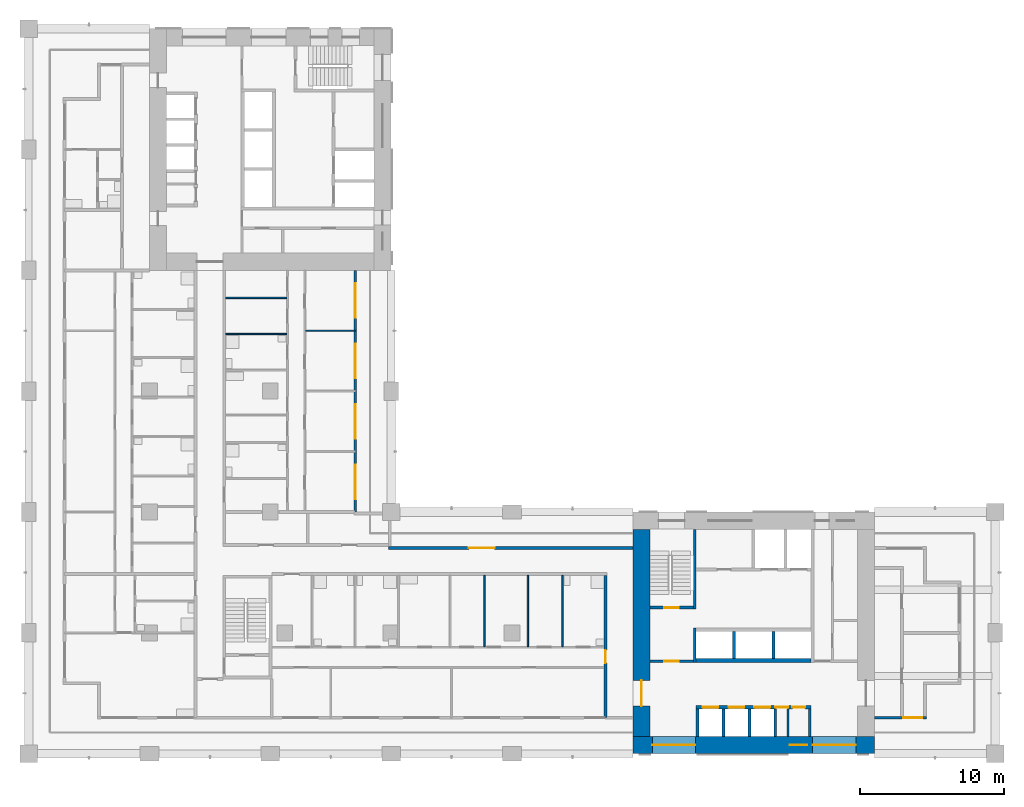
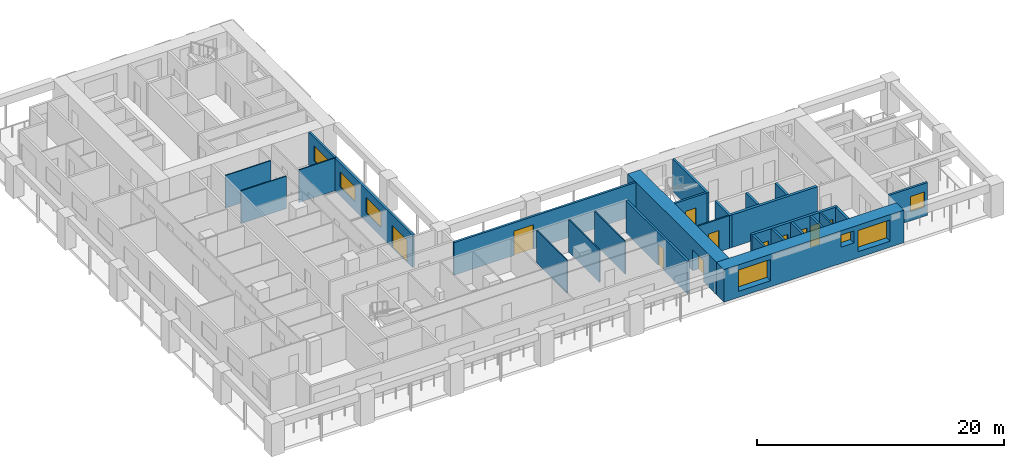
# One storey, part 5 of 16: 26 walls, 11 doors, 7 windows, 18 openings.
"""IFC4 building model written with IfcOpenShell, lengths in metres."""

import ifcopenshell
import ifcopenshell.guid

model = None  # the IFC model being written
_history = None  # IfcOwnerHistory: only IFC2X3 demands one
_inside = {}  # id of a spatial element -> (the spatial element, [elements in it])
_under = {}  # id of a project, library or spatial element -> (it, [spatial elements below it])
_declared = {}  # id of a project -> (the project, [libraries it declares])
_typed = {}  # id of a type object -> (the type object, [elements of that type])
_made_of = {}  # id of a material, layer set ... -> (it, [elements and type objects made of it])


def new_model(schema):
    """Start an empty IFC model of exactly this schema.

    Asked for "IFC4X3", IfcOpenShell would pick the latest addendum, in which some entities
    have other attributes; the version numbers below select the first issue.
    IFC2X3 requires an IfcOwnerHistory on every rooted entity: one is made here for all.
    """
    global model, _history
    if schema == "IFC4X3":
        model = ifcopenshell.file(schema_version=(4, 3, 0, 0))
    else:
        model = ifcopenshell.file(schema=schema)
    _inside.clear()
    _under.clear()
    _declared.clear()
    _typed.clear()
    _made_of.clear()
    _history = None
    if model.schema == "IFC2X3":
        org = make("IfcOrganization", Name="unknown")
        user = make(
            "IfcPersonAndOrganization",
            ThePerson=make("IfcPerson", FamilyName="unknown"),
            TheOrganization=org,
        )
        app = make(
            "IfcApplication",
            ApplicationDeveloper=org,
            Version="unknown",
            ApplicationFullName="unknown",
            ApplicationIdentifier="unknown",
        )
        _history = make(
            "IfcOwnerHistory",
            OwningUser=user,
            OwningApplication=app,
            ChangeAction="ADDED",
            CreationDate=0,
        )
    return model


def make(cls, **values):
    """One entity of the class cls with the attributes given. An attribute that is None is left unset."""
    return model.create_entity(
        cls, **{name: value for name, value in values.items() if value is not None}
    )


def rooted(cls, **values):
    """An entity with a GlobalId (a new one), such as an element, a storey or a relation."""
    return make(cls, GlobalId=ifcopenshell.guid.new(), OwnerHistory=_history, **values)


def si_unit(unit_type, name, prefix=None):
    """IfcSIUnit, for example si_unit("LENGTHUNIT", "METRE", prefix="MILLI")."""
    return make("IfcSIUnit", UnitType=unit_type, Prefix=prefix, Name=name)


def assignment(units):
    """IfcUnitAssignment: the units of a project."""
    return None if units is None else make("IfcUnitAssignment", Units=units)


def point(xyz):
    """IfcCartesianPoint."""
    return None if xyz is None else make("IfcCartesianPoint", Coordinates=xyz)


def direction(xyz):
    """IfcDirection."""
    return None if xyz is None else make("IfcDirection", DirectionRatios=xyz)


def frame(location, z_axis=None, x_axis=None):
    """IfcAxis2Placement3D, a coordinate frame: its origin and axes. An axis left out is left unset."""
    return make(
        "IfcAxis2Placement3D",
        Location=point(location),
        Axis=direction(z_axis),
        RefDirection=direction(x_axis),
    )


def frame_2d(location, x_axis=None):
    """IfcAxis2Placement2D, a coordinate frame in the plane: its origin and x axis."""
    return make(
        "IfcAxis2Placement2D", Location=point(location), RefDirection=direction(x_axis)
    )


def origin():
    """The frame at (0, 0, 0) with its axes left unset."""
    return frame((0.0, 0.0, 0.0))


def place(relative_to, where):
    """IfcLocalPlacement: puts the frame where relative to a parent placement (None: the world)."""
    return make(
        "IfcLocalPlacement", PlacementRelTo=relative_to, RelativePlacement=where
    )


def context(
    kind, dimensions, precision=None, world=None, true_north=None, identifier=None
):
    """IfcGeometricRepresentationContext, for example the 3D "Model" context."""
    return make(
        "IfcGeometricRepresentationContext",
        ContextIdentifier=identifier,
        ContextType=kind,
        CoordinateSpaceDimension=dimensions,
        Precision=precision,
        WorldCoordinateSystem=world,
        TrueNorth=true_north,
    )


def subcontext(parent, identifier, kind, view, scale=None):
    """IfcGeometricRepresentationSubContext, for example "Body" below "Model"."""
    return make(
        "IfcGeometricRepresentationSubContext",
        ContextIdentifier=identifier,
        ContextType=kind,
        ParentContext=parent,
        TargetScale=scale,
        TargetView=view,
    )


def project(units=None, contexts=None):
    """IfcProject with its units and contexts."""
    return rooted(
        "IfcProject",
        Name="project",
        RepresentationContexts=contexts,
        UnitsInContext=assignment(units),
    )


def spatial(cls, under=None, at=None, **own):
    """A site, building, storey or space (cls), placed at a placement, below another one or the project."""
    s = rooted(cls, ObjectPlacement=at, **own)
    if under is not None:
        _under.setdefault(under.id(), (under, []))[1].append(s)
    return s


def profile(cls, at=None, kind="AREA", **sizes):
    """A parametric profile (cls). Its sizes go by their IFC names, for example OverallWidth=200.0."""
    return make(cls, ProfileType=kind, Position=at, **sizes)


def rectangle(**sizes):
    """IfcRectangleProfileDef."""
    return profile("IfcRectangleProfileDef", **sizes)


def extrude(swept, where, along, depth):
    """IfcExtrudedAreaSolid: the profile swept, set in the frame where, extruded along a direction by depth."""
    return make(
        "IfcExtrudedAreaSolid",
        SweptArea=swept,
        Position=where,
        ExtrudedDirection=direction(along),
        Depth=depth,
    )


def shape(context_of_items, identifier, shape_type, items):
    """IfcShapeRepresentation: the items that make up one representation, for example the "Body"."""
    return make(
        "IfcShapeRepresentation",
        ContextOfItems=context_of_items,
        RepresentationIdentifier=identifier,
        RepresentationType=shape_type,
        Items=items,
    )


def material(Name=None, Category=None):
    """IfcMaterial."""
    return make("IfcMaterial", Name=Name, Category=Category)


def layer(
    of_material, thickness, ventilated=None, Name=None, Category=None, Priority=None
):
    """IfcMaterialLayer: one layer of a wall or slab, of a material (None: an air gap)."""
    return make(
        "IfcMaterialLayer",
        Material=of_material,
        LayerThickness=thickness,
        IsVentilated=ventilated,
        Name=Name,
        Category=Category,
        Priority=Priority,
    )


def layer_set(layers, Name=None):
    """IfcMaterialLayerSet."""
    return make("IfcMaterialLayerSet", MaterialLayers=layers, LayerSetName=Name)


def made_of(thing, what):
    """Note that an element or type object is made of a material, layer set ...; save() writes the relation."""
    if what is not None:
        _made_of.setdefault(what.id(), (what, []))[1].append(thing)
    return thing


def type_object(cls, material=None, **own):
    """A type object (cls), such as IfcWallType, which elements share."""
    return made_of(rooted(cls, **own), material)


def element(
    cls,
    number,
    at=None,
    inside=None,
    cuts=None,
    type_object=None,
    material=None,
    context=None,
    identifier="Body",
    shape_type=None,
    held_by="IfcProductDefinitionShape",
    body=None,
    shapes=None,
    **own,
):
    """One element of the class cls, such as IfcWall. Its Tag is "e" and its number.

    at: its placement. inside: the storey or other place that contains it. cuts: it is an
    opening in that element (IfcRelVoidsElement). A single representation is given by context,
    identifier, shape_type and body (its items); several are given by shapes. held_by: the class
    of the entity that holds the representations. save() writes the other relations.
    """
    e = rooted(cls, Tag="e%d" % number, ObjectPlacement=at, **own)
    if body is not None:
        shapes = [shape(context, identifier, shape_type, body)]
    if shapes is not None:
        e.Representation = make(held_by, Representations=shapes)
    if inside is not None:
        _inside.setdefault(inside.id(), (inside, []))[1].append(e)
    if cuts is not None:
        rooted(
            "IfcRelVoidsElement", RelatingBuildingElement=cuts, RelatedOpeningElement=e
        )
    if type_object is not None:
        _typed.setdefault(type_object.id(), (type_object, []))[1].append(e)
    return made_of(e, material)


def fill(opening, filler):
    """IfcRelFillsElement: the door or window that sits in an opening."""
    return rooted(
        "IfcRelFillsElement",
        RelatingOpeningElement=opening,
        RelatedBuildingElement=filler,
    )


def aggregate(whole, parts):
    """IfcRelAggregates: a whole, such as a stair, and the parts it consists of."""
    return rooted("IfcRelAggregates", RelatingObject=whole, RelatedObjects=parts)


def save(model, path):
    """Write the relations noted so far, then the file.

    IfcRelAggregates (storeys below a building ...), IfcRelContainedInSpatialStructure (elements
    in a storey), IfcRelDefinesByType, IfcRelAssociatesMaterial and IfcRelDeclares: one each for
    every whole, place, type object, material and project.
    """
    for whole, parts in _under.values():
        aggregate(whole, parts)
    for where, things in _inside.values():
        rooted(
            "IfcRelContainedInSpatialStructure",
            RelatedElements=things,
            RelatingStructure=where,
        )
    for kind, things in _typed.values():
        rooted("IfcRelDefinesByType", RelatedObjects=things, RelatingType=kind)
    for what, things in _made_of.values():
        rooted("IfcRelAssociatesMaterial", RelatedObjects=things, RelatingMaterial=what)
    for by, libraries in _declared.values():
        rooted("IfcRelDeclares", RelatingContext=by, RelatedDefinitions=libraries)
    model.write(path)


model = new_model("IFC4")

# Units and contexts
model_context = context("Model", 3, precision=1e-05, world=origin(), true_north=direction((0.0, 1.0)))
body_context = subcontext(model_context, "Body", "Model", "MODEL_VIEW")
ifc_project = project(units=[si_unit("LENGTHUNIT", "METRE"), si_unit("AREAUNIT", "SQUARE_METRE"), si_unit("VOLUMEUNIT", "CUBIC_METRE"), si_unit("PLANEANGLEUNIT", "RADIAN"), si_unit("MASSUNIT", "GRAM", prefix="KILO")], contexts=[model_context])

# Site, building, storey
site_placement = place(None, origin())
site = spatial("IfcSite", under=ifc_project, at=site_placement, CompositionType="ELEMENT")
building_placement = place(site_placement, origin())
building = spatial("IfcBuilding", under=site, at=building_placement, Name="Vermilion Gate Residences", CompositionType="ELEMENT")
storey_placement = place(building_placement, frame((0.0, 0.0, 130.199951171875)))
storey = spatial("IfcBuildingStorey", under=building, at=storey_placement, Name="L33", CompositionType="ELEMENT", Elevation=130.199951171875)

# Wall
ifc_material_1 = material(Name="Masonry blockwork", Category="masonry")
ifc_layer_1 = layer(ifc_material_1, 0.14990234375)
ifc_layer_set_1 = layer_set([ifc_layer_1], Name="BLOCKWORK PARTITION 150 EI 120")
wall_type_1 = type_object("IfcWallType", Name="BLOCKWORK PARTITION 150 EI 120", PredefinedType="PARTITIONING", material=ifc_layer_set_1)
wall_1_placement = place(storey_placement, frame((52.79248046875, 9.60009765625, 0.0), z_axis=(0.0, 0.0, 1.0), x_axis=(0.0, 1.0, 0.0)))
element("IfcWall", 1, at=wall_1_placement, inside=storey, type_object=wall_type_1, Name="Core room partition A33-SR-P0", PredefinedType="PARTITIONING", context=body_context, shape_type="SweptSolid", body=[
    extrude(rectangle(XDim=1.89990234375, YDim=0.14990234375, at=frame_2d((0.949951171875, 0.0))), origin(), (0.0, 0.0, 1.0), 3.219970703125),
])

# Wall, opening, door
wall_2_placement = place(storey_placement, frame((43.199951171875, 14.824951171875, 0.0), z_axis=(0.0, 0.0, 1.0), x_axis=(1.0, 0.0, 0.0)))
wall_2 = element("IfcWall", 2, at=wall_2_placement, inside=storey, type_object=wall_type_1, Name="Core room partition A33-VW-S", PredefinedType="PARTITIONING", context=body_context, shape_type="SweptSolid", body=[
    extrude(rectangle(XDim=3.0, YDim=0.14990234375, at=frame_2d((1.5, 0.0))), origin(), (0.0, 0.0, 1.0), 3.219970703125),
])
opening_1_placement = place(wall_2_placement, frame((1.0, 0.0, 0.0)))
opening_1 = element("IfcOpeningElement", 3, at=opening_1_placement, cuts=wall_2, Name="Opening DK33011", PredefinedType="OPENING", context=body_context, shape_type="SweptSolid", body=[
    extrude(rectangle(XDim=1.0, YDim=2.10009765625, at=frame_2d((0.5, 1.050048828125))), frame((0.0, 0.0849609375, 0.0), z_axis=(0.0, -1.0, 0.0), x_axis=(1.0, 0.0, 0.0)), (0.0, 0.0, 1.0), 0.169921875),
])
ifc_material_2 = material(Name="Steel", Category="steel")
door_type_1 = type_object("IfcDoorType", Name="FIRE DOOR FD60 1000 X 2100", OperationType="SINGLE_SWING_LEFT", PredefinedType="DOOR", material=ifc_material_2)
door_1_placement = place(opening_1_placement, frame((1.0, 0.0, 0.0), z_axis=(0.0, 0.0, 1.0), x_axis=(-1.0, 0.0, 0.0)))
door_1 = element("IfcDoor", 4, at=door_1_placement, inside=storey, type_object=door_type_1, Name="Stair vestibule door A33", OperationType="SINGLE_SWING_RIGHT", OverallHeight=2.10009765625, OverallWidth=1.0, PredefinedType="DOOR", context=body_context, shape_type="SweptSolid", body=[
    extrude(rectangle(XDim=1.0, YDim=2.10009765625, at=frame_2d((0.5, 1.050048828125))), frame((0.0, 0.02490234375, 0.0), z_axis=(0.0, -1.0, 0.0), x_axis=(1.0, 0.0, 0.0)), (0.0, 0.0, 1.0), 0.050048828125),
])
fill(opening_1, door_1)

# Wall, opening, window
ifc_material_3 = material(Name="Insulated steel stud wall with terracotta rainscreen", Category="masonry")
ifc_layer_2 = layer(ifc_material_3, 0.199951171875)
ifc_layer_set_2 = layer_set([ifc_layer_2], Name="EXTERNAL WALL 200 TERRACOTTA RAINSCREEN")
wall_type_2 = type_object("IfcWallType", Name="EXTERNAL WALL 200 TERRACOTTA RAINSCREEN", PredefinedType="SOLIDWALL", material=ifc_layer_set_2)
wall_3_placement = place(storey_placement, frame((58.800048828125, 10.89990234375, 0.0), z_axis=(0.0, 0.0, 1.0), x_axis=(1.0, 0.0, 0.0)))
wall_3 = element("IfcWall", 5, at=wall_3_placement, inside=storey, type_object=wall_type_2, Name="External wall", PredefinedType="SOLIDWALL", context=body_context, shape_type="SweptSolid", body=[
    extrude(rectangle(XDim=3.599853515625, YDim=0.199951171875, at=frame_2d((1.7998046875, 0.0))), origin(), (0.0, 0.0, 1.0), 3.219970703125),
])
opening_2_placement = place(wall_3_placement, frame((2.0, 0.0, 0.89990234375)))
opening_2 = element("IfcOpeningElement", 6, at=opening_2_placement, cuts=wall_3, Name="Opening WE33020", PredefinedType="OPENING", context=body_context, shape_type="SweptSolid", body=[
    extrude(rectangle(XDim=1.300048828125, YDim=1.5, at=frame_2d((0.64990234375, 0.75))), frame((0.0, 0.10986328125, 0.0), z_axis=(0.0, -1.0, 0.0), x_axis=(1.0, 0.0, 0.0)), (0.0, 0.0, 1.0), 0.219970703125),
])
ifc_material_4 = material(Name="Aluminium and clear glass", Category="aluminium")
window_type_1 = type_object("IfcWindowType", Name="WINDOW 1300 X 1500", PartitioningType="SINGLE_PANEL", PredefinedType="WINDOW", material=ifc_material_4)
window_1_placement = place(opening_2_placement, origin())
window_1 = element("IfcWindow", 7, at=window_1_placement, inside=storey, type_object=window_type_1, Name="Window", OverallHeight=1.5, OverallWidth=1.300048828125, PartitioningType="SINGLE_PANEL", PredefinedType="WINDOW", context=body_context, shape_type="SweptSolid", body=[
    extrude(rectangle(XDim=1.300048828125, YDim=1.5, at=frame_2d((0.64990234375, 0.75))), frame((0.0, 0.030029296875, 0.0), z_axis=(0.0, -1.0, 0.0), x_axis=(1.0, 0.0, 0.0)), (0.0, 0.0, 1.0), 0.06005859375),
])
fill(opening_2, window_1)

# Wall, opening, door
wall_4_placement = place(storey_placement, frame((42.0, 22.699951171875, 0.0), z_axis=(0.0, 0.0, 1.0), x_axis=(-1.0, 0.0, 0.0)))
wall_4 = element("IfcWall", 8, at=wall_4_placement, inside=storey, type_object=wall_type_2, Name="External wall", PredefinedType="SOLIDWALL", context=body_context, shape_type="SweptSolid", body=[
    extrude(rectangle(XDim=17.0, YDim=0.199951171875, at=frame_2d((8.5, 0.0))), origin(), (0.0, 0.0, 1.0), 3.219970703125),
])
opening_3_placement = place(wall_4_placement, frame((9.60009765625, 0.0, 0.0)))
opening_3 = element("IfcOpeningElement", 9, at=opening_3_placement, cuts=wall_4, Name="Opening DE33029", PredefinedType="OPENING", context=body_context, shape_type="SweptSolid", body=[
    extrude(rectangle(XDim=1.800048828125, YDim=2.39990234375, at=frame_2d((0.89990234375, 1.199951171875))), frame((0.0, 0.10986328125, 0.0), z_axis=(0.0, -1.0, 0.0), x_axis=(1.0, 0.0, 0.0)), (0.0, 0.0, 1.0), 0.219970703125),
])
ifc_material_5 = material(Name="Aluminium and clear glass", Category="aluminium")
door_type_2 = type_object("IfcDoorType", Name="GLAZED EXTERNAL DOOR 1800 X 2400", OperationType="DOUBLE_DOOR_SINGLE_SWING", PredefinedType="DOOR", material=ifc_material_5)
door_2_placement = place(opening_3_placement, frame((1.800048828125, 0.0, 0.0), z_axis=(0.0, 0.0, 1.0), x_axis=(-1.0, 0.0, 0.0)))
door_2 = element("IfcDoor", 10, at=door_2_placement, inside=storey, type_object=door_type_2, Name="Gallery door", OperationType="DOUBLE_DOOR_SINGLE_SWING", OverallHeight=2.39990234375, OverallWidth=1.800048828125, PredefinedType="DOOR", context=body_context, shape_type="SweptSolid", body=[
    extrude(rectangle(XDim=1.800048828125, YDim=2.39990234375, at=frame_2d((0.89990234375, 1.199951171875))), frame((0.0, 0.02490234375, 0.0), z_axis=(0.0, -1.0, 0.0), x_axis=(1.0, 0.0, 0.0)), (0.0, 0.0, 1.0), 0.050048828125),
])
fill(opening_3, door_2)

# Wall, openings, door, windows
wall_5_placement = place(storey_placement, frame((22.699951171875, 25.199951171875, 0.0), z_axis=(0.0, 0.0, 1.0), x_axis=(0.0, 1.0, 0.0)))
wall_5 = element("IfcWall", 11, at=wall_5_placement, inside=storey, type_object=wall_type_2, Name="External wall", PredefinedType="SOLIDWALL", context=body_context, shape_type="SweptSolid", body=[
    extrude(rectangle(XDim=16.800048828125, YDim=0.199951171875, at=frame_2d((8.39990234375, 0.0))), origin(), (0.0, 0.0, 1.0), 3.219970703125),
])
opening_4_placement = place(wall_5_placement, frame((0.89990234375, 0.0, 0.0)))
opening_4 = element("IfcOpeningElement", 12, at=opening_4_placement, cuts=wall_5, Name="Opening DE33024", PredefinedType="OPENING", context=body_context, shape_type="SweptSolid", body=[
    extrude(rectangle(XDim=2.39990234375, YDim=2.199951171875, at=frame_2d((1.199951171875, 1.10009765625))), frame((0.0, 0.10986328125, 0.0), z_axis=(0.0, -1.0, 0.0), x_axis=(1.0, 0.0, 0.0)), (0.0, 0.0, 1.0), 0.219970703125),
])
opening_5_placement = place(wall_5_placement, frame((5.10009765625, 0.0, 0.89990234375)))
opening_5 = element("IfcOpeningElement", 13, at=opening_5_placement, cuts=wall_5, Name="Opening WE33025", PredefinedType="OPENING", context=body_context, shape_type="SweptSolid", body=[
    extrude(rectangle(XDim=2.39990234375, YDim=1.5, at=frame_2d((1.199951171875, 0.75))), frame((0.0, 0.10986328125, 0.0), z_axis=(0.0, -1.0, 0.0), x_axis=(1.0, 0.0, 0.0)), (0.0, 0.0, 1.0), 0.219970703125),
])
opening_6_placement = place(wall_5_placement, frame((9.300048828125, 0.0, 0.89990234375)))
opening_6 = element("IfcOpeningElement", 14, at=opening_6_placement, cuts=wall_5, Name="Opening WE33026", PredefinedType="OPENING", context=body_context, shape_type="SweptSolid", body=[
    extrude(rectangle(XDim=2.39990234375, YDim=1.5, at=frame_2d((1.199951171875, 0.75))), frame((0.0, 0.10986328125, 0.0), z_axis=(0.0, -1.0, 0.0), x_axis=(1.0, 0.0, 0.0)), (0.0, 0.0, 1.0), 0.219970703125),
])
opening_7_placement = place(wall_5_placement, frame((13.5, 0.0, 0.89990234375)))
opening_7 = element("IfcOpeningElement", 15, at=opening_7_placement, cuts=wall_5, Name="Opening WE33027", PredefinedType="OPENING", context=body_context, shape_type="SweptSolid", body=[
    extrude(rectangle(XDim=2.39990234375, YDim=1.5, at=frame_2d((1.199951171875, 0.75))), frame((0.0, 0.10986328125, 0.0), z_axis=(0.0, -1.0, 0.0), x_axis=(1.0, 0.0, 0.0)), (0.0, 0.0, 1.0), 0.219970703125),
])
ifc_material_6 = material(Name="Aluminium and clear glass", Category="aluminium")
door_type_3 = type_object("IfcDoorType", Name="SLIDING GLAZED DOOR 2400 X 2200", OperationType="DOUBLE_DOOR_SLIDING", PredefinedType="DOOR", material=ifc_material_6)
door_3_placement = place(opening_4_placement, origin())
door_3 = element("IfcDoor", 16, at=door_3_placement, inside=storey, type_object=door_type_3, Name="Loggia sliding door", OperationType="DOUBLE_DOOR_SLIDING", OverallHeight=2.199951171875, OverallWidth=2.39990234375, PredefinedType="DOOR", context=body_context, shape_type="SweptSolid", body=[
    extrude(rectangle(XDim=2.39990234375, YDim=2.199951171875, at=frame_2d((1.199951171875, 1.10009765625))), frame((0.0, 0.02490234375, 0.0), z_axis=(0.0, -1.0, 0.0), x_axis=(1.0, 0.0, 0.0)), (0.0, 0.0, 1.0), 0.050048828125),
])
fill(opening_4, door_3)
ifc_material_7 = material(Name="Aluminium and clear glass", Category="aluminium")
window_type_2 = type_object("IfcWindowType", Name="WINDOW 2400 X 1500", PartitioningType="SINGLE_PANEL", PredefinedType="WINDOW", material=ifc_material_7)
window_2_placement = place(opening_5_placement, origin())
window_2 = element("IfcWindow", 17, at=window_2_placement, inside=storey, type_object=window_type_2, Name="Window", OverallHeight=1.5, OverallWidth=2.39990234375, PartitioningType="SINGLE_PANEL", PredefinedType="WINDOW", context=body_context, shape_type="SweptSolid", body=[
    extrude(rectangle(XDim=2.39990234375, YDim=1.5, at=frame_2d((1.199951171875, 0.75))), frame((0.0, 0.030029296875, 0.0), z_axis=(0.0, -1.0, 0.0), x_axis=(1.0, 0.0, 0.0)), (0.0, 0.0, 1.0), 0.06005859375),
])
fill(opening_5, window_2)
window_3_placement = place(opening_6_placement, origin())
window_3 = element("IfcWindow", 18, at=window_3_placement, inside=storey, type_object=window_type_2, Name="Window", OverallHeight=1.5, OverallWidth=2.39990234375, PartitioningType="SINGLE_PANEL", PredefinedType="WINDOW", context=body_context, shape_type="SweptSolid", body=[
    extrude(rectangle(XDim=2.39990234375, YDim=1.5, at=frame_2d((1.199951171875, 0.75))), frame((0.0, 0.030029296875, 0.0), z_axis=(0.0, -1.0, 0.0), x_axis=(1.0, 0.0, 0.0)), (0.0, 0.0, 1.0), 0.06005859375),
])
fill(opening_6, window_3)
window_4_placement = place(opening_7_placement, origin())
window_4 = element("IfcWindow", 19, at=window_4_placement, inside=storey, type_object=window_type_2, Name="Window", OverallHeight=1.5, OverallWidth=2.39990234375, PartitioningType="SINGLE_PANEL", PredefinedType="WINDOW", context=body_context, shape_type="SweptSolid", body=[
    extrude(rectangle(XDim=2.39990234375, YDim=1.5, at=frame_2d((1.199951171875, 0.75))), frame((0.0, 0.030029296875, 0.0), z_axis=(0.0, -1.0, 0.0), x_axis=(1.0, 0.0, 0.0)), (0.0, 0.0, 1.0), 0.06005859375),
])
fill(opening_7, window_4)

# Walls
ifc_material_8 = material(Name="Plasterboard on steel studs", Category="steel")
ifc_layer_3 = layer(ifc_material_8, 0.10009765625)
ifc_layer_set_3 = layer_set([ifc_layer_3], Name="PARTITION 100")
wall_type_3 = type_object("IfcWallType", Name="PARTITION 100", PredefinedType="PARTITIONING", material=ifc_layer_set_3)
wall_6_placement = place(storey_placement, frame((13.699951171875, 37.572021484375, 0.0), z_axis=(0.0, 0.0, 1.0), x_axis=(1.0, 0.0, 0.0)))
element("IfcWall", 20, at=wall_6_placement, inside=storey, type_object=wall_type_3, Name="Partition", PredefinedType="PARTITIONING", context=body_context, shape_type="SweptSolid", body=[
    extrude(rectangle(XDim=4.25, YDim=0.10009765625, at=frame_2d((2.125, 0.0))), origin(), (0.0, 0.0, 1.0), 3.219970703125),
])
wall_7_placement = place(storey_placement, frame((19.25, 37.800048828125, 0.0), z_axis=(0.0, 0.0, 1.0), x_axis=(1.0, 0.0, 0.0)))
element("IfcWall", 21, at=wall_7_placement, inside=storey, type_object=wall_type_3, Name="Partition", PredefinedType="PARTITIONING", context=body_context, shape_type="SweptSolid", body=[
    extrude(rectangle(XDim=3.449951171875, YDim=0.10009765625, at=frame_2d((1.72509765625, 0.0))), origin(), (0.0, 0.0, 1.0), 3.219970703125),
])
wall_8_placement = place(storey_placement, frame((13.699951171875, 40.0859375, 0.0), z_axis=(0.0, 0.0, 1.0), x_axis=(1.0, 0.0, 0.0)))
element("IfcWall", 22, at=wall_8_placement, inside=storey, type_object=wall_type_3, Name="Partition", PredefinedType="PARTITIONING", context=body_context, shape_type="SweptSolid", body=[
    extrude(rectangle(XDim=4.25, YDim=0.10009765625, at=frame_2d((2.125, 0.0))), origin(), (0.0, 0.0, 1.0), 3.219970703125),
])
for number, where, z_axis, x_axis, name in (
    (23, (31.699951171875, 15.85009765625, 0.0), (0.0, 0.0, 1.0), (0.0, 1.0, 0.0), "Partition"),
    (24, (34.699951171875, 15.85009765625, 0.0), (0.0, 0.0, 1.0), (0.0, 1.0, 0.0), "Partition"),
    (25, (37.10009765625, 15.85009765625, 0.0), (0.0, 0.0, 1.0), (0.0, 1.0, 0.0), "Partition"),
):
    element("IfcWall", number, at=place(storey_placement, frame(where, z_axis=z_axis, x_axis=x_axis)), inside=storey, type_object=wall_type_3, Name=name, PredefinedType="PARTITIONING", context=body_context, shape_type="SweptSolid", body=[
        extrude(rectangle(XDim=4.949951171875, YDim=0.10009765625, at=frame_2d((2.47509765625, 0.0))), origin(), (0.0, 0.0, 1.0), 3.219970703125),
    ])

# Wall, opening, door
ifc_material_9 = material(Name="Fire-rated plasterboard on steel studs", Category="steel")
ifc_layer_4 = layer(ifc_material_9, 0.199951171875)
ifc_layer_set_4 = layer_set([ifc_layer_4], Name="PARTY WALL 200 EI 120")
wall_type_4 = type_object("IfcWallType", Name="PARTY WALL 200 EI 120", PredefinedType="PARTITIONING", material=ifc_layer_set_4)
wall_9_placement = place(storey_placement, frame((40.10009765625, 10.89990234375, 0.0), z_axis=(0.0, 0.0, 1.0), x_axis=(0.0, 1.0, 0.0)))
wall_9 = element("IfcWall", 26, at=wall_9_placement, inside=storey, type_object=wall_type_4, Name="Party and corridor wall", PredefinedType="PARTITIONING", context=body_context, shape_type="SweptSolid", body=[
    extrude(rectangle(XDim=9.900146484375, YDim=0.199951171875, at=frame_2d((4.9501953125, 0.0))), origin(), (0.0, 0.0, 1.0), 3.219970703125),
])
opening_8_placement = place(wall_9_placement, frame((3.800048828125, 0.0, 0.0)))
opening_8 = element("IfcOpeningElement", 27, at=opening_8_placement, cuts=wall_9, Name="Opening DA32050", PredefinedType="OPENING", context=body_context, shape_type="SweptSolid", body=[
    extrude(rectangle(XDim=0.89990234375, YDim=2.10009765625, at=frame_2d((0.449951171875, 1.050048828125))), frame((0.0, 0.10986328125, 0.0), z_axis=(0.0, -1.0, 0.0), x_axis=(1.0, 0.0, 0.0)), (0.0, 0.0, 1.0), 0.219970703125),
])
ifc_material_10 = material(Name="Timber", Category="wood")
door_type_4 = type_object("IfcDoorType", Name="INTERIOR DOOR 900 X 2100", OperationType="SINGLE_SWING_LEFT", PredefinedType="DOOR", material=ifc_material_10)
door_4_placement = place(opening_8_placement, origin())
door_4 = element("IfcDoor", 28, at=door_4_placement, inside=storey, type_object=door_type_4, Name="Interior door", OperationType="SINGLE_SWING_RIGHT", OverallHeight=2.10009765625, OverallWidth=0.89990234375, PredefinedType="DOOR", context=body_context, shape_type="SweptSolid", body=[
    extrude(rectangle(XDim=0.89990234375, YDim=2.10009765625, at=frame_2d((0.449951171875, 1.050048828125))), frame((0.0, 0.02490234375, 0.0), z_axis=(0.0, -1.0, 0.0), x_axis=(1.0, 0.0, 0.0)), (0.0, 0.0, 1.0), 0.050048828125),
])
fill(opening_8, door_4)

# Walls
ifc_material_11 = material(Name="Concrete C60", Category="concrete")
ifc_layer_5 = layer(ifc_material_11, 0.199951171875)
ifc_layer_set_5 = layer_set([ifc_layer_5], Name="RC CORE INTERNAL WALL 200 C60")
wall_type_5 = type_object("IfcWallType", Name="RC CORE INTERNAL WALL 200 C60", PredefinedType="SHEAR", material=ifc_layer_set_5)
for number, where, z_axis, x_axis, name in (
    (29, (46.5, 9.60009765625, 0.0), (0.0, 0.0, 1.0), (0.0, 1.0, 0.0), "Core internal wall A33-LR-D0"),
    (30, (48.300048828125, 9.60009765625, 0.0), (0.0, 0.0, 1.0), (0.0, 1.0, 0.0), "Core internal wall A33-LR-D1"),
    (31, (50.10009765625, 9.60009765625, 0.0), (0.0, 0.0, 1.0), (0.0, 1.0, 0.0), "Core internal wall A33-LR-D2"),
    (32, (51.89990234375, 9.60009765625, 0.0), (0.0, 0.0, 1.0), (0.0, 1.0, 0.0), "Core internal wall A33-LR-D3"),
    (33, (54.300048828125, 9.60009765625, 0.0), (0.0, 0.0, 1.0), (0.0, 1.0, 0.0), "Core internal wall A33-LR-DE"),
    (34, (49.033447265625, 15.0, 0.0), (0.0, 0.0, 1.0), (0.0, 1.0, 0.0), "Core internal wall A33-HR-D1"),
    (35, (51.7666015625, 15.0, 0.0), (0.0, 0.0, 1.0), (0.0, 1.0, 0.0), "Core internal wall A33-HR-D2"),
):
    element("IfcWall", number, at=place(storey_placement, frame(where, z_axis=z_axis, x_axis=x_axis)), inside=storey, type_object=wall_type_5, Name=name, PredefinedType="SHEAR", context=body_context, shape_type="SweptSolid", body=[
        extrude(rectangle(XDim=1.89990234375, YDim=0.199951171875, at=frame_2d((0.949951171875, 0.0))), origin(), (0.0, 0.0, 1.0), 3.219970703125),
    ])
wall_10_placement = place(storey_placement, frame((46.300048828125, 14.75, 0.0), z_axis=(0.0, 0.0, 1.0), x_axis=(0.0, 1.0, 0.0)))
element("IfcWall", 36, at=wall_10_placement, inside=storey, type_object=wall_type_5, Name="Core internal wall A33-WDIV1", PredefinedType="SHEAR", context=body_context, shape_type="SweptSolid", body=[
    extrude(rectangle(XDim=2.39990234375, YDim=0.199951171875, at=frame_2d((1.199951171875, 0.0))), origin(), (0.0, 0.0, 1.0), 3.219970703125),
])
wall_11_placement = place(storey_placement, frame((46.300048828125, 18.449951171875, 0.0), z_axis=(0.0, 0.0, 1.0), x_axis=(0.0, 1.0, 0.0)))
element("IfcWall", 37, at=wall_11_placement, inside=storey, type_object=wall_type_5, Name="Core internal wall A33-WDIV2", PredefinedType="SHEAR", context=body_context, shape_type="SweptSolid", body=[
    extrude(rectangle(XDim=5.550048828125, YDim=0.199951171875, at=frame_2d((2.77490234375, 0.0))), origin(), (0.0, 0.0, 1.0), 3.219970703125),
])

# Wall, opening, door
wall_12_placement = place(storey_placement, frame((43.199951171875, 18.550048828125, 0.0), z_axis=(0.0, 0.0, 1.0), x_axis=(1.0, 0.0, 0.0)))
wall_12 = element("IfcWall", 38, at=wall_12_placement, inside=storey, type_object=wall_type_5, Name="Core internal wall A33-STW-S", PredefinedType="SHEAR", context=body_context, shape_type="SweptSolid", body=[
    extrude(rectangle(XDim=3.0, YDim=0.199951171875, at=frame_2d((1.5, 0.0))), origin(), (0.0, 0.0, 1.0), 3.219970703125),
])
opening_9_placement = place(wall_12_placement, frame((1.0, 0.0, 0.0)))
opening_9 = element("IfcOpeningElement", 39, at=opening_9_placement, cuts=wall_12, Name="Opening DK33012", PredefinedType="OPENING", context=body_context, shape_type="SweptSolid", body=[
    extrude(rectangle(XDim=1.0, YDim=2.10009765625, at=frame_2d((0.5, 1.050048828125))), frame((0.0, 0.10986328125, 0.0), z_axis=(0.0, -1.0, 0.0), x_axis=(1.0, 0.0, 0.0)), (0.0, 0.0, 1.0), 0.219970703125),
])
door_5_placement = place(opening_9_placement, origin())
door_5 = element("IfcDoor", 40, at=door_5_placement, inside=storey, type_object=door_type_1, Name="Stair door A33", OperationType="SINGLE_SWING_LEFT", OverallHeight=2.10009765625, OverallWidth=1.0, PredefinedType="DOOR", context=body_context, shape_type="SweptSolid", body=[
    extrude(rectangle(XDim=1.0, YDim=2.10009765625, at=frame_2d((0.5, 1.050048828125))), frame((0.0, 0.02490234375, 0.0), z_axis=(0.0, -1.0, 0.0), x_axis=(1.0, 0.0, 0.0)), (0.0, 0.0, 1.0), 0.050048828125),
])
fill(opening_9, door_5)

ifc_material_12 = material(Name="Concrete C70", Category="concrete")
ifc_layer_6 = layer(ifc_material_12, 1.199951171875)
ifc_layer_set_6 = layer_set([ifc_layer_6], Name="RC CORE WALL 1200 C70")
wall_type_6 = type_object("IfcWallType", Name="RC CORE WALL 1200 C70", PredefinedType="SHEAR", material=ifc_layer_set_6)
wall_13_placement = place(storey_placement, frame((42.60009765625, 9.60009765625, 0.0), z_axis=(0.0, 0.0, 1.0), x_axis=(0.0, 1.0, 0.0)))
wall_13 = element("IfcWall", 41, at=wall_13_placement, inside=storey, type_object=wall_type_6, Name="Core wall A33-OUT-FR", PredefinedType="SHEAR", context=body_context, shape_type="SweptSolid", body=[
    extrude(rectangle(XDim=14.39990234375, YDim=1.199951171875, at=frame_2d((7.199951171875, 0.0))), origin(), (0.0, 0.0, 1.0), 3.219970703125),
])
opening_10_placement = place(wall_13_placement, frame((2.10009765625, 0.0, 0.0)))
opening_10 = element("IfcOpeningElement", 42, at=opening_10_placement, cuts=wall_13, Name="Opening DK33001", PredefinedType="OPENING", context=body_context, shape_type="SweptSolid", body=[
    extrude(rectangle(XDim=1.800048828125, YDim=2.10009765625, at=frame_2d((0.89990234375, 1.050048828125))), frame((0.0, 0.60986328125, 0.0), z_axis=(0.0, -1.0, 0.0), x_axis=(1.0, 0.0, 0.0)), (0.0, 0.0, 1.0), 1.219970703125),
])
ifc_material_13 = material(Name="Steel", Category="steel")
door_type_5 = type_object("IfcDoorType", Name="CORE LOBBY DOOR FD60 1800 X 2100", OperationType="DOUBLE_DOOR_SINGLE_SWING", PredefinedType="DOOR", material=ifc_material_13)
door_6_placement = place(opening_10_placement, frame((1.800048828125, 0.0, 0.0), z_axis=(0.0, 0.0, 1.0), x_axis=(-1.0, 0.0, 0.0)))
door_6 = element("IfcDoor", 43, at=door_6_placement, inside=storey, type_object=door_type_5, Name="Core lobby door A33", OperationType="DOUBLE_DOOR_SINGLE_SWING", OverallHeight=2.10009765625, OverallWidth=1.800048828125, PredefinedType="DOOR", context=body_context, shape_type="SweptSolid", body=[
    extrude(rectangle(XDim=1.800048828125, YDim=2.10009765625, at=frame_2d((0.89990234375, 1.050048828125))), frame((0.0, 0.02490234375, 0.0), z_axis=(0.0, -1.0, 0.0), x_axis=(1.0, 0.0, 0.0)), (0.0, 0.0, 1.0), 0.050048828125),
])
fill(opening_10, door_6)

# Wall, openings, windows
ifc_material_14 = material(Name="Concrete C70 red-oxide pigmented", Category="concrete")
ifc_layer_7 = layer(ifc_material_14, 1.199951171875)
ifc_layer_set_7 = layer_set([ifc_layer_7], Name="RC CORE WALL 1200 C70 RED OXIDE")
wall_type_7 = type_object("IfcWallType", Name="RC CORE WALL 1200 C70 RED OXIDE", PredefinedType="SHEAR", material=ifc_layer_set_7)
wall_14_placement = place(storey_placement, frame((42.0, 9.0, 0.0), z_axis=(0.0, 0.0, 1.0), x_axis=(1.0, 0.0, 0.0)))
wall_14 = element("IfcWall", 44, at=wall_14_placement, inside=storey, type_object=wall_type_7, Name="Core wall A33-OUT-B0", PredefinedType="SHEAR", context=body_context, shape_type="SweptSolid", body=[
    extrude(rectangle(XDim=16.800048828125, YDim=1.199951171875, at=frame_2d((8.39990234375, 0.0))), origin(), (0.0, 0.0, 1.0), 3.219970703125),
])
opening_11_placement = place(wall_14_placement, frame((1.35009765625, 0.0, 0.60009765625)))
opening_11 = element("IfcOpeningElement", 45, at=opening_11_placement, cuts=wall_14, Name="Opening WKA3301", PredefinedType="OPENING", context=body_context, shape_type="SweptSolid", body=[
    extrude(rectangle(XDim=3.0, YDim=2.10009765625, at=frame_2d((1.5, 1.050048828125))), frame((0.0, 0.60986328125, 0.0), z_axis=(0.0, -1.0, 0.0), x_axis=(1.0, 0.0, 0.0)), (0.0, 0.0, 1.0), 1.219970703125),
])
opening_12_placement = place(wall_14_placement, frame((10.91748046875, 0.0, 1.60009765625)))
opening_12 = element("IfcOpeningElement", 46, at=opening_12_placement, cuts=wall_14, Name="Opening WKA3302", PredefinedType="OPENING", context=body_context, shape_type="SweptSolid", body=[
    extrude(rectangle(XDim=1.199951171875, YDim=1.199951171875, at=frame_2d((0.60009765625, 0.60009765625))), frame((0.0, 0.60986328125, 0.0), z_axis=(0.0, -1.0, 0.0), x_axis=(1.0, 0.0, 0.0)), (0.0, 0.0, 1.0), 1.219970703125),
])
opening_13_placement = place(wall_14_placement, frame((12.5, 0.0, 0.60009765625)))
opening_13 = element("IfcOpeningElement", 47, at=opening_13_placement, cuts=wall_14, Name="Opening WKA3303", PredefinedType="OPENING", context=body_context, shape_type="SweptSolid", body=[
    extrude(rectangle(XDim=3.0, YDim=2.10009765625, at=frame_2d((1.5, 1.050048828125))), frame((0.0, 0.60986328125, 0.0), z_axis=(0.0, -1.0, 0.0), x_axis=(1.0, 0.0, 0.0)), (0.0, 0.0, 1.0), 1.219970703125),
])
ifc_material_15 = material(Name="Aluminium and clear glass", Category="aluminium")
window_type_3 = type_object("IfcWindowType", Name="CORE LOBBY WINDOW 3000 X 2100", PartitioningType="SINGLE_PANEL", PredefinedType="WINDOW", material=ifc_material_15)
window_5_placement = place(opening_11_placement, origin())
window_5 = element("IfcWindow", 48, at=window_5_placement, inside=storey, type_object=window_type_3, Name="Core lobby window", OverallHeight=2.10009765625, OverallWidth=3.0, PartitioningType="SINGLE_PANEL", PredefinedType="WINDOW", context=body_context, shape_type="SweptSolid", body=[
    extrude(rectangle(XDim=3.0, YDim=2.10009765625, at=frame_2d((1.5, 1.050048828125))), frame((0.0, 0.030029296875, 0.0), z_axis=(0.0, -1.0, 0.0), x_axis=(1.0, 0.0, 0.0)), (0.0, 0.0, 1.0), 0.06005859375),
])
fill(opening_11, window_5)
window_6_placement = place(opening_13_placement, origin())
window_6 = element("IfcWindow", 49, at=window_6_placement, inside=storey, type_object=window_type_3, Name="Core lobby window", OverallHeight=2.10009765625, OverallWidth=3.0, PartitioningType="SINGLE_PANEL", PredefinedType="WINDOW", context=body_context, shape_type="SweptSolid", body=[
    extrude(rectangle(XDim=3.0, YDim=2.10009765625, at=frame_2d((1.5, 1.050048828125))), frame((0.0, 0.030029296875, 0.0), z_axis=(0.0, -1.0, 0.0), x_axis=(1.0, 0.0, 0.0)), (0.0, 0.0, 1.0), 0.06005859375),
])
fill(opening_13, window_6)
ifc_material_16 = material(Name="Aluminium frame with louvre blades", Category="aluminium")
window_type_4 = type_object("IfcWindowType", Name="CORE LOUVRE 1200 X 1200", PartitioningType="SINGLE_PANEL", PredefinedType="WINDOW", material=ifc_material_16)
window_7_placement = place(opening_12_placement, origin())
window_7 = element("IfcWindow", 50, at=window_7_placement, inside=storey, type_object=window_type_4, Name="Core louvre", OverallHeight=1.199951171875, OverallWidth=1.199951171875, PartitioningType="SINGLE_PANEL", PredefinedType="WINDOW", context=body_context, shape_type="SweptSolid", body=[
    extrude(rectangle(XDim=1.199951171875, YDim=1.199951171875, at=frame_2d((0.60009765625, 0.60009765625))), frame((0.0, 0.030029296875, 0.0), z_axis=(0.0, -1.0, 0.0), x_axis=(1.0, 0.0, 0.0)), (0.0, 0.0, 1.0), 0.06005859375),
])
fill(opening_12, window_7)

# Wall, openings, doors
ifc_material_17 = material(Name="Concrete C60", Category="concrete")
ifc_layer_8 = layer(ifc_material_17, 0.25)
ifc_layer_set_8 = layer_set([ifc_layer_8], Name="RC LIFT SHAFT WALL 250 C60")
wall_type_8 = type_object("IfcWallType", Name="RC LIFT SHAFT WALL 250 C60", PredefinedType="SHEAR", material=ifc_layer_set_8)
wall_15_placement = place(storey_placement, frame((46.39990234375, 11.625, 0.0), z_axis=(0.0, 0.0, 1.0), x_axis=(1.0, 0.0, 0.0)))
wall_15 = element("IfcWall", 51, at=wall_15_placement, inside=storey, type_object=wall_type_8, Name="Lift shaft wall A33-LR-F", PredefinedType="SHEAR", context=body_context, shape_type="SweptSolid", body=[
    extrude(rectangle(XDim=8.0, YDim=0.25, at=frame_2d((4.0, 0.0))), origin(), (0.0, 0.0, 1.0), 3.219970703125),
])
opening_14_placement = place(wall_15_placement, frame((0.449951171875, 0.0, 0.0)))
opening_14 = element("IfcOpeningElement", 52, at=opening_14_placement, cuts=wall_15, Name="Opening LD", PredefinedType="OPENING", context=body_context, shape_type="SweptSolid", body=[
    extrude(rectangle(XDim=1.10009765625, YDim=2.10009765625, at=frame_2d((0.550048828125, 1.050048828125))), frame((0.0, 0.135009765625, 0.0), z_axis=(0.0, -1.0, 0.0), x_axis=(1.0, 0.0, 0.0)), (0.0, 0.0, 1.0), 0.27001953125),
])
opening_15_placement = place(wall_15_placement, frame((2.25, 0.0, 0.0)))
opening_15 = element("IfcOpeningElement", 53, at=opening_15_placement, cuts=wall_15, Name="Opening LD", PredefinedType="OPENING", context=body_context, shape_type="SweptSolid", body=[
    extrude(rectangle(XDim=1.10009765625, YDim=2.10009765625, at=frame_2d((0.550048828125, 1.050048828125))), frame((0.0, 0.135009765625, 0.0), z_axis=(0.0, -1.0, 0.0), x_axis=(1.0, 0.0, 0.0)), (0.0, 0.0, 1.0), 0.27001953125),
])
opening_16_placement = place(wall_15_placement, frame((4.050048828125, 0.0, 0.0)))
opening_16 = element("IfcOpeningElement", 54, at=opening_16_placement, cuts=wall_15, Name="Opening LD", PredefinedType="OPENING", context=body_context, shape_type="SweptSolid", body=[
    extrude(rectangle(XDim=1.10009765625, YDim=2.10009765625, at=frame_2d((0.550048828125, 1.050048828125))), frame((0.0, 0.135009765625, 0.0), z_axis=(0.0, -1.0, 0.0), x_axis=(1.0, 0.0, 0.0)), (0.0, 0.0, 1.0), 0.27001953125),
])
opening_17_placement = place(wall_15_placement, frame((5.5087890625, 0.0, 0.0)))
opening_17 = element("IfcOpeningElement", 55, at=opening_17_placement, cuts=wall_15, Name="Opening DK33006", PredefinedType="OPENING", context=body_context, shape_type="SweptSolid", body=[
    extrude(rectangle(XDim=0.89990234375, YDim=2.10009765625, at=frame_2d((0.449951171875, 1.050048828125))), frame((0.0, 0.135009765625, 0.0), z_axis=(0.0, -1.0, 0.0), x_axis=(1.0, 0.0, 0.0)), (0.0, 0.0, 1.0), 0.27001953125),
])
opening_18_placement = place(wall_15_placement, frame((6.683837890625, 0.0, 0.0)))
opening_18 = element("IfcOpeningElement", 56, at=opening_18_placement, cuts=wall_15, Name="Opening DK33007", PredefinedType="OPENING", context=body_context, shape_type="SweptSolid", body=[
    extrude(rectangle(XDim=0.89990234375, YDim=2.10009765625, at=frame_2d((0.449951171875, 1.050048828125))), frame((0.0, 0.135009765625, 0.0), z_axis=(0.0, -1.0, 0.0), x_axis=(1.0, 0.0, 0.0)), (0.0, 0.0, 1.0), 0.27001953125),
])
ifc_material_18 = material(Name="Stainless steel", Category="steel")
door_type_6 = type_object("IfcDoorType", Name="LIFT LANDING DOOR E60 1100 X 2100", OperationType="DOUBLE_DOOR_SLIDING", PredefinedType="DOOR", material=ifc_material_18)
door_7_placement = place(opening_14_placement, origin())
door_7 = element("IfcDoor", 57, at=door_7_placement, inside=storey, type_object=door_type_6, Name="Lift landing door LRA1", OperationType="DOUBLE_DOOR_SLIDING", OverallHeight=2.10009765625, OverallWidth=1.10009765625, PredefinedType="DOOR", context=body_context, shape_type="SweptSolid", body=[
    extrude(rectangle(XDim=1.10009765625, YDim=2.10009765625, at=frame_2d((0.550048828125, 1.050048828125))), frame((0.0, 0.02490234375, 0.0), z_axis=(0.0, -1.0, 0.0), x_axis=(1.0, 0.0, 0.0)), (0.0, 0.0, 1.0), 0.050048828125),
])
fill(opening_14, door_7)
door_8_placement = place(opening_15_placement, origin())
door_8 = element("IfcDoor", 58, at=door_8_placement, inside=storey, type_object=door_type_6, Name="Lift landing door LRA2", OperationType="DOUBLE_DOOR_SLIDING", OverallHeight=2.10009765625, OverallWidth=1.10009765625, PredefinedType="DOOR", context=body_context, shape_type="SweptSolid", body=[
    extrude(rectangle(XDim=1.10009765625, YDim=2.10009765625, at=frame_2d((0.550048828125, 1.050048828125))), frame((0.0, 0.02490234375, 0.0), z_axis=(0.0, -1.0, 0.0), x_axis=(1.0, 0.0, 0.0)), (0.0, 0.0, 1.0), 0.050048828125),
])
fill(opening_15, door_8)
door_9_placement = place(opening_16_placement, origin())
door_9 = element("IfcDoor", 59, at=door_9_placement, inside=storey, type_object=door_type_6, Name="Lift landing door LRA3", OperationType="DOUBLE_DOOR_SLIDING", OverallHeight=2.10009765625, OverallWidth=1.10009765625, PredefinedType="DOOR", context=body_context, shape_type="SweptSolid", body=[
    extrude(rectangle(XDim=1.10009765625, YDim=2.10009765625, at=frame_2d((0.550048828125, 1.050048828125))), frame((0.0, 0.02490234375, 0.0), z_axis=(0.0, -1.0, 0.0), x_axis=(1.0, 0.0, 0.0)), (0.0, 0.0, 1.0), 0.050048828125),
])
fill(opening_16, door_9)
ifc_material_19 = material(Name="Steel", Category="steel")
door_type_7 = type_object("IfcDoorType", Name="SERVICE ROOM DOOR FD60 900 X 2100", OperationType="SINGLE_SWING_LEFT", PredefinedType="DOOR", material=ifc_material_19)
door_10_placement = place(opening_17_placement, origin())
door_10 = element("IfcDoor", 60, at=door_10_placement, inside=storey, type_object=door_type_7, Name="Fire equipment store A33", OperationType="SINGLE_SWING_LEFT", OverallHeight=2.10009765625, OverallWidth=0.89990234375, PredefinedType="DOOR", context=body_context, shape_type="SweptSolid", body=[
    extrude(rectangle(XDim=0.89990234375, YDim=2.10009765625, at=frame_2d((0.449951171875, 1.050048828125))), frame((0.0, 0.02490234375, 0.0), z_axis=(0.0, -1.0, 0.0), x_axis=(1.0, 0.0, 0.0)), (0.0, 0.0, 1.0), 0.050048828125),
])
fill(opening_17, door_10)
door_11_placement = place(opening_18_placement, frame((0.89990234375, 0.0, 0.0), z_axis=(0.0, 0.0, 1.0), x_axis=(-1.0, 0.0, 0.0)))
door_11 = element("IfcDoor", 61, at=door_11_placement, inside=storey, type_object=door_type_7, Name="Mail room A33", OperationType="SINGLE_SWING_RIGHT", OverallHeight=2.10009765625, OverallWidth=0.89990234375, PredefinedType="DOOR", context=body_context, shape_type="SweptSolid", body=[
    extrude(rectangle(XDim=0.89990234375, YDim=2.10009765625, at=frame_2d((0.449951171875, 1.050048828125))), frame((0.0, 0.02490234375, 0.0), z_axis=(0.0, -1.0, 0.0), x_axis=(1.0, 0.0, 0.0)), (0.0, 0.0, 1.0), 0.050048828125),
])
fill(opening_18, door_11)

# Wall
wall_16_placement = place(storey_placement, frame((46.39990234375, 14.875, 0.0), z_axis=(0.0, 0.0, 1.0), x_axis=(1.0, 0.0, 0.0)))
element("IfcWall", 62, at=wall_16_placement, inside=storey, type_object=wall_type_8, Name="Lift shaft wall A33-HR-F", PredefinedType="SHEAR", context=body_context, shape_type="SweptSolid", body=[
    extrude(rectangle(XDim=8.0, YDim=0.25, at=frame_2d((4.0, 0.0))), origin(), (0.0, 0.0, 1.0), 3.219970703125),
])

save(model, "model.ifc")
